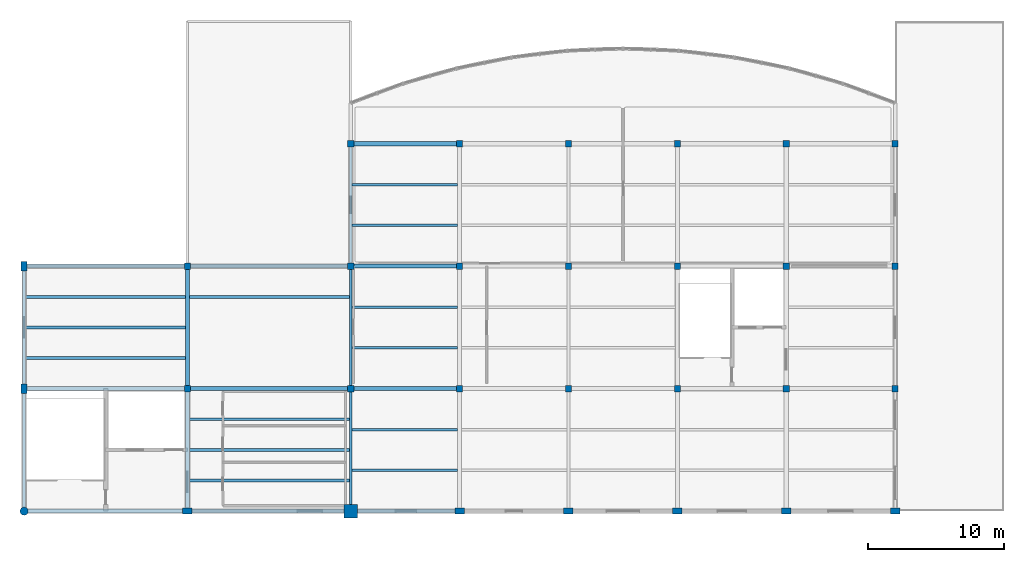
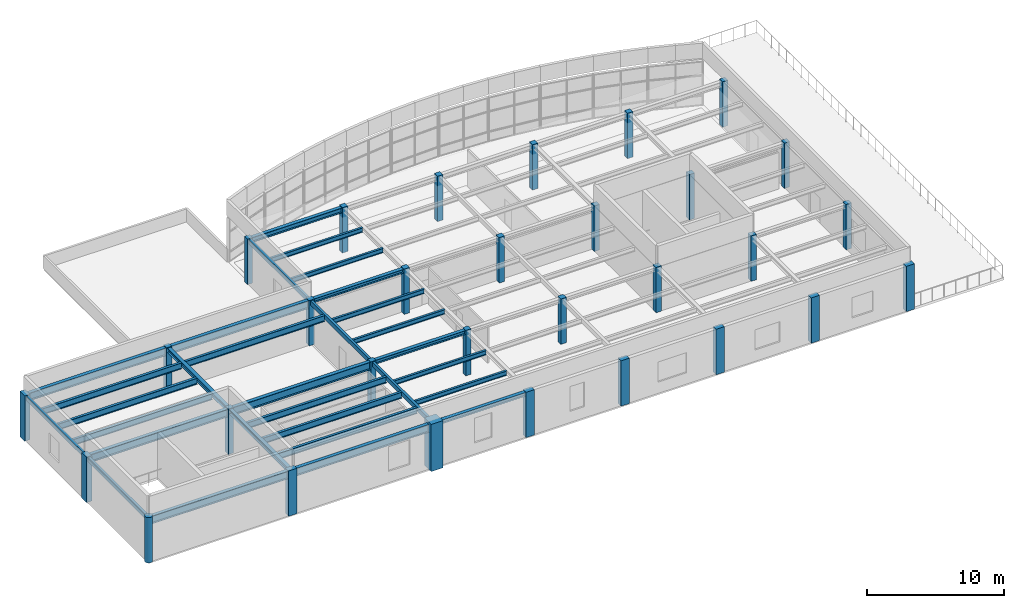
# One storey, part 1 of 9: 30 beams, 30 columns.
"""IFC4 building model written with IfcOpenShell, lengths in metres."""

import ifcopenshell
import ifcopenshell.guid

model = None  # the IFC model being written
_history = None  # IfcOwnerHistory: only IFC2X3 demands one
_inside = {}  # id of a spatial element -> (the spatial element, [elements in it])
_under = {}  # id of a project, library or spatial element -> (it, [spatial elements below it])
_declared = {}  # id of a project -> (the project, [libraries it declares])
_typed = {}  # id of a type object -> (the type object, [elements of that type])
_made_of = {}  # id of a material, layer set ... -> (it, [elements and type objects made of it])


def new_model(schema):
    """Start an empty IFC model of exactly this schema.

    Asked for "IFC4X3", IfcOpenShell would pick the latest addendum, in which some entities
    have other attributes; the version numbers below select the first issue.
    IFC2X3 requires an IfcOwnerHistory on every rooted entity: one is made here for all.
    """
    global model, _history
    if schema == "IFC4X3":
        model = ifcopenshell.file(schema_version=(4, 3, 0, 0))
    else:
        model = ifcopenshell.file(schema=schema)
    _inside.clear()
    _under.clear()
    _declared.clear()
    _typed.clear()
    _made_of.clear()
    _history = None
    if model.schema == "IFC2X3":
        org = make("IfcOrganization", Name="unknown")
        user = make(
            "IfcPersonAndOrganization",
            ThePerson=make("IfcPerson", FamilyName="unknown"),
            TheOrganization=org,
        )
        app = make(
            "IfcApplication",
            ApplicationDeveloper=org,
            Version="unknown",
            ApplicationFullName="unknown",
            ApplicationIdentifier="unknown",
        )
        _history = make(
            "IfcOwnerHistory",
            OwningUser=user,
            OwningApplication=app,
            ChangeAction="ADDED",
            CreationDate=0,
        )
    return model


def make(cls, **values):
    """One entity of the class cls with the attributes given. An attribute that is None is left unset."""
    return model.create_entity(
        cls, **{name: value for name, value in values.items() if value is not None}
    )


def rooted(cls, **values):
    """An entity with a GlobalId (a new one), such as an element, a storey or a relation."""
    return make(cls, GlobalId=ifcopenshell.guid.new(), OwnerHistory=_history, **values)


def si_unit(unit_type, name, prefix=None):
    """IfcSIUnit, for example si_unit("LENGTHUNIT", "METRE", prefix="MILLI")."""
    return make("IfcSIUnit", UnitType=unit_type, Prefix=prefix, Name=name)


def assignment(units):
    """IfcUnitAssignment: the units of a project."""
    return None if units is None else make("IfcUnitAssignment", Units=units)


def point(xyz):
    """IfcCartesianPoint."""
    return None if xyz is None else make("IfcCartesianPoint", Coordinates=xyz)


def direction(xyz):
    """IfcDirection."""
    return None if xyz is None else make("IfcDirection", DirectionRatios=xyz)


def frame(location, z_axis=None, x_axis=None):
    """IfcAxis2Placement3D, a coordinate frame: its origin and axes. An axis left out is left unset."""
    return make(
        "IfcAxis2Placement3D",
        Location=point(location),
        Axis=direction(z_axis),
        RefDirection=direction(x_axis),
    )


def frame_2d(location, x_axis=None):
    """IfcAxis2Placement2D, a coordinate frame in the plane: its origin and x axis."""
    return make(
        "IfcAxis2Placement2D", Location=point(location), RefDirection=direction(x_axis)
    )


def origin():
    """The frame at (0, 0, 0) with its axes left unset."""
    return frame((0.0, 0.0, 0.0))


def origin_2d():
    """The frame at (0, 0) in the plane with its x axis left unset."""
    return frame_2d((0.0, 0.0))


def place(relative_to, where):
    """IfcLocalPlacement: puts the frame where relative to a parent placement (None: the world)."""
    return make(
        "IfcLocalPlacement", PlacementRelTo=relative_to, RelativePlacement=where
    )


def context(
    kind, dimensions, precision=None, world=None, true_north=None, identifier=None
):
    """IfcGeometricRepresentationContext, for example the 3D "Model" context."""
    return make(
        "IfcGeometricRepresentationContext",
        ContextIdentifier=identifier,
        ContextType=kind,
        CoordinateSpaceDimension=dimensions,
        Precision=precision,
        WorldCoordinateSystem=world,
        TrueNorth=true_north,
    )


def subcontext(parent, identifier, kind, view, scale=None):
    """IfcGeometricRepresentationSubContext, for example "Body" below "Model"."""
    return make(
        "IfcGeometricRepresentationSubContext",
        ContextIdentifier=identifier,
        ContextType=kind,
        ParentContext=parent,
        TargetScale=scale,
        TargetView=view,
    )


def project(units=None, contexts=None):
    """IfcProject with its units and contexts."""
    return rooted(
        "IfcProject",
        Name="project",
        RepresentationContexts=contexts,
        UnitsInContext=assignment(units),
    )


def spatial(cls, under=None, at=None, **own):
    """A site, building, storey or space (cls), placed at a placement, below another one or the project."""
    s = rooted(cls, ObjectPlacement=at, **own)
    if under is not None:
        _under.setdefault(under.id(), (under, []))[1].append(s)
    return s


def profile(cls, at=None, kind="AREA", **sizes):
    """A parametric profile (cls). Its sizes go by their IFC names, for example OverallWidth=200.0."""
    return make(cls, ProfileType=kind, Position=at, **sizes)


def rectangle(**sizes):
    """IfcRectangleProfileDef."""
    return profile("IfcRectangleProfileDef", **sizes)


def hollow_rectangle(**sizes):
    """IfcRectangleHollowProfileDef."""
    return profile("IfcRectangleHollowProfileDef", **sizes)


def circle(**sizes):
    """IfcCircleProfileDef."""
    return profile("IfcCircleProfileDef", **sizes)


def i_section(**sizes):
    """IfcIShapeProfileDef."""
    return profile("IfcIShapeProfileDef", **sizes)


def extrude(swept, where, along, depth):
    """IfcExtrudedAreaSolid: the profile swept, set in the frame where, extruded along a direction by depth."""
    return make(
        "IfcExtrudedAreaSolid",
        SweptArea=swept,
        Position=where,
        ExtrudedDirection=direction(along),
        Depth=depth,
    )


def shape(context_of_items, identifier, shape_type, items):
    """IfcShapeRepresentation: the items that make up one representation, for example the "Body"."""
    return make(
        "IfcShapeRepresentation",
        ContextOfItems=context_of_items,
        RepresentationIdentifier=identifier,
        RepresentationType=shape_type,
        Items=items,
    )


def material(Name=None, Category=None):
    """IfcMaterial."""
    return make("IfcMaterial", Name=Name, Category=Category)


def material_profile(
    of_material, cross_section, Name=None, Category=None, Priority=None
):
    """IfcMaterialProfile: a cross section and its material."""
    return make(
        "IfcMaterialProfile",
        Name=Name,
        Material=of_material,
        Profile=cross_section,
        Priority=Priority,
        Category=Category,
    )


def profile_set(profiles, Name=None, composite=None):
    """IfcMaterialProfileSet."""
    return make(
        "IfcMaterialProfileSet",
        Name=Name,
        MaterialProfiles=profiles,
        CompositeProfile=composite,
    )


def made_of(thing, what):
    """Note that an element or type object is made of a material, layer set ...; save() writes the relation."""
    if what is not None:
        _made_of.setdefault(what.id(), (what, []))[1].append(thing)
    return thing


def type_object(cls, material=None, **own):
    """A type object (cls), such as IfcWallType, which elements share."""
    return made_of(rooted(cls, **own), material)


def element(
    cls,
    number,
    at=None,
    inside=None,
    cuts=None,
    type_object=None,
    material=None,
    context=None,
    identifier="Body",
    shape_type=None,
    held_by="IfcProductDefinitionShape",
    body=None,
    shapes=None,
    **own,
):
    """One element of the class cls, such as IfcWall. Its Tag is "e" and its number.

    at: its placement. inside: the storey or other place that contains it. cuts: it is an
    opening in that element (IfcRelVoidsElement). A single representation is given by context,
    identifier, shape_type and body (its items); several are given by shapes. held_by: the class
    of the entity that holds the representations. save() writes the other relations.
    """
    e = rooted(cls, Tag="e%d" % number, ObjectPlacement=at, **own)
    if body is not None:
        shapes = [shape(context, identifier, shape_type, body)]
    if shapes is not None:
        e.Representation = make(held_by, Representations=shapes)
    if inside is not None:
        _inside.setdefault(inside.id(), (inside, []))[1].append(e)
    if cuts is not None:
        rooted(
            "IfcRelVoidsElement", RelatingBuildingElement=cuts, RelatedOpeningElement=e
        )
    if type_object is not None:
        _typed.setdefault(type_object.id(), (type_object, []))[1].append(e)
    return made_of(e, material)


def aggregate(whole, parts):
    """IfcRelAggregates: a whole, such as a stair, and the parts it consists of."""
    return rooted("IfcRelAggregates", RelatingObject=whole, RelatedObjects=parts)


def save(model, path):
    """Write the relations noted so far, then the file.

    IfcRelAggregates (storeys below a building ...), IfcRelContainedInSpatialStructure (elements
    in a storey), IfcRelDefinesByType, IfcRelAssociatesMaterial and IfcRelDeclares: one each for
    every whole, place, type object, material and project.
    """
    for whole, parts in _under.values():
        aggregate(whole, parts)
    for where, things in _inside.values():
        rooted(
            "IfcRelContainedInSpatialStructure",
            RelatedElements=things,
            RelatingStructure=where,
        )
    for kind, things in _typed.values():
        rooted("IfcRelDefinesByType", RelatedObjects=things, RelatingType=kind)
    for what, things in _made_of.values():
        rooted("IfcRelAssociatesMaterial", RelatedObjects=things, RelatingMaterial=what)
    for by, libraries in _declared.values():
        rooted("IfcRelDeclares", RelatingContext=by, RelatedDefinitions=libraries)
    model.write(path)


model = new_model("IFC4")

# Units and contexts
model_context = context("Model", 3, precision=1e-05, world=origin(), true_north=direction((0.0, 1.0)))
body_context = subcontext(model_context, "Body", "Model", "MODEL_VIEW")
ifc_project = project(units=[si_unit("LENGTHUNIT", "METRE"), si_unit("AREAUNIT", "SQUARE_METRE"), si_unit("VOLUMEUNIT", "CUBIC_METRE"), si_unit("PLANEANGLEUNIT", "RADIAN"), si_unit("MASSUNIT", "GRAM", prefix="KILO")], contexts=[model_context])

# Site, building, storey
site_placement = place(None, origin())
site = spatial("IfcSite", under=ifc_project, at=site_placement, CompositionType="ELEMENT")
building_placement = place(site_placement, origin())
building = spatial("IfcBuilding", under=site, at=building_placement, Name="Keelwater Ferry Terminal", CompositionType="ELEMENT")
storey_placement = place(building_placement, frame((0.0, 0.0, 23.699951171875)))
storey = spatial("IfcBuildingStorey", under=building, at=storey_placement, Name="L05", CompositionType="ELEMENT", Elevation=23.699951171875)

# Columns
ifc_material_1 = material(Name="Concrete C45/55", Category="concrete")
ifc_material_profile_1 = material_profile(ifc_material_1, rectangle(XDim=0.449951171875, YDim=0.449951171875, at=origin_2d()), Name="RC 450x450")
ifc_profile_set_1 = profile_set([ifc_material_profile_1], Name="Concrete C45/55")
column_type_1 = type_object("IfcColumnType", Name="C5 RC 450x450", PredefinedType="COLUMN", material=ifc_profile_set_1)
for number, where, z_axis, x_axis, name in (
    (1, (120.0, 99.0, 0.0), (0.0, 0.0, 1.0), (1.0, 0.0, 0.0), "Column CL-L05-0214"),
    (2, (120.0, 108.0, 0.0), (0.0, 0.0, 1.0), (1.0, 0.0, 0.0), "Column CL-L05-0220"),
    (3, (132.0, 99.0, 0.0), (0.0, 0.0, 1.0), (1.0, 0.0, 0.0), "Column CL-L05-0265"),
    (4, (132.0, 108.0, 0.0), (0.0, 0.0, 1.0), (1.0, 0.0, 0.0), "Column CL-L05-0271"),
    (5, (132.0, 117.0, 0.0), (0.0, 0.0, 1.0), (1.0, 0.0, 0.0), "Column CL-L05-0277"),
    (6, (140.0, 99.0, 0.0), (0.0, 0.0, 1.0), (1.0, 0.0, 0.0), "Column CL-L05-0317"),
    (7, (140.0, 108.0, 0.0), (0.0, 0.0, 1.0), (1.0, 0.0, 0.0), "Column CL-L05-0323"),
    (8, (140.0, 117.0, 0.0), (0.0, 0.0, 1.0), (1.0, 0.0, 0.0), "Column CL-L05-0329"),
    (9, (148.0, 99.0, 0.0), (0.0, 0.0, 1.0), (1.0, 0.0, 0.0), "Column CL-L05-0364"),
    (10, (148.0, 108.0, 0.0), (0.0, 0.0, 1.0), (1.0, 0.0, 0.0), "Column CL-L05-0370"),
    (11, (148.0, 117.0, 0.0), (0.0, 0.0, 1.0), (1.0, 0.0, 0.0), "Column CL-L05-0376"),
    (12, (156.0, 99.0, 0.0), (0.0, 0.0, 1.0), (1.0, 0.0, 0.0), "Column CL-L05-0403"),
    (13, (156.0, 108.0, 0.0), (0.0, 0.0, 1.0), (1.0, 0.0, 0.0), "Column CL-L05-0409"),
    (14, (156.0, 117.0, 0.0), (0.0, 0.0, 1.0), (1.0, 0.0, 0.0), "Column CL-L05-0415"),
    (15, (164.0, 99.0, 0.0), (0.0, 0.0, 1.0), (1.0, 0.0, 0.0), "Column CL-L05-0442"),
    (16, (164.0, 108.0, 0.0), (0.0, 0.0, 1.0), (1.0, 0.0, 0.0), "Column CL-L05-0448"),
    (17, (164.0, 117.0, 0.0), (0.0, 0.0, 1.0), (1.0, 0.0, 0.0), "Column CL-L05-0454"),
    (18, (172.0, 99.0, 0.0), (0.0, 0.0, 1.0), (1.0, 0.0, 0.0), "Column CL-L05-0475"),
    (19, (172.0, 108.0, 0.0), (0.0, 0.0, 1.0), (1.0, 0.0, 0.0), "Column CL-L05-0481"),
    (20, (172.0, 117.0, 0.0), (0.0, 0.0, 1.0), (1.0, 0.0, 0.0), "Column CL-L05-0487"),
):
    element("IfcColumn", number, at=place(storey_placement, frame(where, z_axis=z_axis, x_axis=x_axis)), inside=storey, type_object=column_type_1, Name=name, PredefinedType="COLUMN", context=body_context, shape_type="SweptSolid", body=[
        extrude(rectangle(XDim=0.449951171875, YDim=0.449951171875, at=origin_2d()), origin(), (0.0, 0.0, 1.0), 4.0400390625),
    ])
ifc_material_2 = material(Name="Concrete C45/55", Category="concrete")
ifc_material_profile_2 = material_profile(ifc_material_2, circle(Radius=0.300048828125, at=origin_2d()), Name="RC D600")
ifc_profile_set_2 = profile_set([ifc_material_profile_2], Name="Concrete C45/55")
column_type_2 = type_object("IfcColumnType", Name="C7E RC D600", PredefinedType="COLUMN", material=ifc_profile_set_2)
column_1_placement = place(storey_placement, frame((108.0, 90.0, 0.0), z_axis=(0.0, 0.0, 1.0), x_axis=(1.0, 0.0, 0.0)))
element("IfcColumn", 21, at=column_1_placement, inside=storey, type_object=column_type_2, Name="Column CL-L05-0176", PredefinedType="COLUMN", context=body_context, shape_type="SweptSolid", body=[
    extrude(circle(Radius=0.300048828125, at=origin_2d()), origin(), (0.0, 0.0, 1.0), 4.0400390625),
])
ifc_material_3 = material(Name="Concrete C50/60", Category="concrete")
ifc_material_profile_3 = material_profile(ifc_material_3, rectangle(XDim=1.0, YDim=1.0, at=origin_2d()), Name="RC 1000x1000")
ifc_profile_set_3 = profile_set([ifc_material_profile_3], Name="Concrete C50/60")
column_type_3 = type_object("IfcColumnType", Name="MC1E RC 1000x1000", PredefinedType="COLUMN", material=ifc_profile_set_3)
column_2_placement = place(storey_placement, frame((132.0, 90.0, 0.0), z_axis=(0.0, 0.0, 1.0), x_axis=(1.0, 0.0, 0.0)))
element("IfcColumn", 22, at=column_2_placement, inside=storey, type_object=column_type_3, Name="Column CL-L05-0259", PredefinedType="COLUMN", context=body_context, shape_type="SweptSolid", body=[
    extrude(rectangle(XDim=1.0, YDim=1.0, at=origin_2d()), origin(), (0.0, 0.0, 1.0), 4.199951171875),
])
ifc_material_4 = material(Name="Concrete C45/55", Category="concrete")
ifc_material_profile_4 = material_profile(ifc_material_4, rectangle(XDim=0.449951171875, YDim=0.699951171875, at=origin_2d()), Name="RC 700x450")
ifc_profile_set_4 = profile_set([ifc_material_profile_4], Name="Concrete C45/55")
column_type_4 = type_object("IfcColumnType", Name="PL3E RC 700x450", PredefinedType="PILASTER", material=ifc_profile_set_4)
for number, where, z_axis, x_axis, name in (
    (23, (108.0, 99.0, 0.0), (0.0, 0.0, 1.0), (1.0, 0.0, 0.0), "Column CL-L05-0182"),
    (24, (108.0, 108.0, 0.0), (0.0, 0.0, 1.0), (1.0, 0.0, 0.0), "Column CL-L05-0188"),
    (25, (120.0, 90.0, 0.0), (0.0, 0.0, 1.0), (0.0, 1.0, 0.0), "Column CL-L05-0208"),
    (26, (140.0, 90.0, 0.0), (0.0, 0.0, 1.0), (0.0, 1.0, 0.0), "Column CL-L05-0311"),
    (27, (148.0, 90.0, 0.0), (0.0, 0.0, 1.0), (0.0, 1.0, 0.0), "Column CL-L05-0358"),
    (28, (156.0, 90.0, 0.0), (0.0, 0.0, 1.0), (0.0, 1.0, 0.0), "Column CL-L05-0397"),
    (29, (164.0, 90.0, 0.0), (0.0, 0.0, 1.0), (0.0, 1.0, 0.0), "Column CL-L05-0436"),
    (30, (172.0, 90.0, 0.0), (0.0, 0.0, 1.0), (0.0, 1.0, 0.0), "Column CL-L05-0469"),
):
    element("IfcColumn", number, at=place(storey_placement, frame(where, z_axis=z_axis, x_axis=x_axis)), inside=storey, type_object=column_type_4, Name=name, PredefinedType="PILASTER", context=body_context, shape_type="SweptSolid", body=[
        extrude(rectangle(XDim=0.449951171875, YDim=0.699951171875, at=origin_2d()), origin(), (0.0, 0.0, 1.0), 4.0400390625),
    ])

# Beams
ifc_material_5 = material(Name="Steel S355", Category="steel")
ifc_material_profile_5 = material_profile(ifc_material_5, i_section(OverallWidth=0.300048828125, OverallDepth=0.699951171875, WebThickness=0.01708984375, FlangeThickness=0.031982421875, at=origin_2d()), Name="HEB 700")
ifc_profile_set_5 = profile_set([ifc_material_profile_5], Name="Steel S355")
beam_type_1 = type_object("IfcBeamType", Name="G2E HEB 700", PredefinedType="BEAM", material=ifc_profile_set_5)
beam_1_placement = place(storey_placement, frame((108.24609375, 90.0, 3.630126953125), z_axis=(1.0, 0.0, 0.0), x_axis=(0.0, 1.0, 0.0)))
element("IfcBeam", 31, at=beam_1_placement, inside=storey, type_object=beam_type_1, Name="Beam BM-L05-1566", PredefinedType="BEAM", context=body_context, shape_type="SweptSolid", body=[
    extrude(i_section(OverallWidth=0.300048828125, OverallDepth=0.699951171875, WebThickness=0.01708984375, FlangeThickness=0.031982421875, at=origin_2d()), origin(), (0.0, 0.0, 1.0), 11.410888671875),
])
beam_2_placement = place(storey_placement, frame((120.343017578125, 90.0, 3.630126953125), z_axis=(1.0, 0.0, 0.0), x_axis=(0.0, 1.0, 0.0)))
element("IfcBeam", 32, at=beam_2_placement, inside=storey, type_object=beam_type_1, Name="Beam BM-L05-1567", PredefinedType="BEAM", context=body_context, shape_type="SweptSolid", body=[
    extrude(i_section(OverallWidth=0.300048828125, OverallDepth=0.699951171875, WebThickness=0.01708984375, FlangeThickness=0.031982421875, at=origin_2d()), origin(), (0.0, 0.0, 1.0), 11.1669921875),
])
for number, where, z_axis, x_axis, name in (
    (33, (108.219970703125, 99.0, 3.630126953125), (1.0, 0.0, 0.0), (0.0, 1.0, 0.0), "Beam BM-L05-1573"),
    (34, (120.219970703125, 99.0, 3.630126953125), (1.0, 0.0, 0.0), (0.0, 1.0, 0.0), "Beam BM-L05-1574"),
    (35, (108.219970703125, 108.0, 3.630126953125), (1.0, 0.0, 0.0), (0.0, 1.0, 0.0), "Beam BM-L05-1580"),
    (36, (120.219970703125, 108.0, 3.630126953125), (1.0, 0.0, 0.0), (0.0, 1.0, 0.0), "Beam BM-L05-1581"),
):
    element("IfcBeam", number, at=place(storey_placement, frame(where, z_axis=z_axis, x_axis=x_axis)), inside=storey, type_object=beam_type_1, Name=name, PredefinedType="BEAM", context=body_context, shape_type="SweptSolid", body=[
        extrude(i_section(OverallWidth=0.300048828125, OverallDepth=0.699951171875, WebThickness=0.01708984375, FlangeThickness=0.031982421875, at=origin_2d()), origin(), (0.0, 0.0, 1.0), 11.56005859375),
    ])
ifc_material_6 = material(Name="Steel S355", Category="steel")
ifc_material_profile_6 = material_profile(ifc_material_6, i_section(OverallWidth=0.300048828125, OverallDepth=0.449951171875, WebThickness=0.013916015625, FlangeThickness=0.02587890625, at=origin_2d()), Name="HEB 450")
ifc_profile_set_6 = profile_set([ifc_material_profile_6], Name="Steel S355")
beam_type_2 = type_object("IfcBeamType", Name="G6 HEB 450", PredefinedType="BEAM", material=ifc_profile_set_6)
beam_3_placement = place(storey_placement, frame((132.219970703125, 117.0, 3.755126953125), z_axis=(1.0, 0.0, 0.0), x_axis=(0.0, 1.0, 0.0)))
element("IfcBeam", 37, at=beam_3_placement, inside=storey, type_object=beam_type_2, Name="Beam BM-L05-1587", PredefinedType="BEAM", context=body_context, shape_type="SweptSolid", body=[
    extrude(i_section(OverallWidth=0.300048828125, OverallDepth=0.449951171875, WebThickness=0.013916015625, FlangeThickness=0.02587890625, at=origin_2d()), origin(), (0.0, 0.0, 1.0), 7.56005859375),
])
ifc_material_7 = material(Name="Steel S355", Category="steel")
ifc_material_profile_7 = material_profile(ifc_material_7, i_section(OverallWidth=0.300048828125, OverallDepth=0.39990234375, WebThickness=0.013427734375, FlangeThickness=0.02392578125, at=origin_2d()), Name="HEB 400")
ifc_profile_set_7 = profile_set([ifc_material_profile_7], Name="Steel S355")
beam_type_3 = type_object("IfcBeamType", Name="G7 HEB 400", PredefinedType="BEAM", material=ifc_profile_set_7)
for number, where, z_axis, x_axis, name in (
    (38, (120.0, 90.219970703125, 3.780029296875), (0.0, 1.0, 0.0), (-1.0, 0.0, 0.0), "Beam BM-L05-1594"),
    (39, (120.0, 99.219970703125, 3.780029296875), (0.0, 1.0, 0.0), (-1.0, 0.0, 0.0), "Beam BM-L05-1595"),
):
    element("IfcBeam", number, at=place(storey_placement, frame(where, z_axis=z_axis, x_axis=x_axis)), inside=storey, type_object=beam_type_3, Name=name, PredefinedType="BEAM", context=body_context, shape_type="SweptSolid", body=[
        extrude(i_section(OverallWidth=0.300048828125, OverallDepth=0.39990234375, WebThickness=0.013427734375, FlangeThickness=0.02392578125, at=origin_2d()), origin(), (0.0, 0.0, 1.0), 8.56005859375),
    ])
ifc_material_8 = material(Name="Steel S355", Category="steel")
ifc_material_profile_8 = material_profile(ifc_material_8, i_section(OverallWidth=0.2099609375, OverallDepth=0.550048828125, WebThickness=0.010986328125, FlangeThickness=0.01708984375, at=origin_2d()), Name="IPE 550")
ifc_profile_set_8 = profile_set([ifc_material_profile_8], Name="Steel S355")
beam_type_4 = type_object("IfcBeamType", Name="J2 IPE 550", PredefinedType="JOIST", material=ifc_profile_set_8)
for number, where, z_axis, x_axis, name in (
    (40, (108.10009765625, 101.25, 3.705078125), (1.0, 0.0, 0.0), (0.0, 1.0, 0.0), "Beam BM-L05-1614"),
    (41, (108.10009765625, 103.5, 3.705078125), (1.0, 0.0, 0.0), (0.0, 1.0, 0.0), "Beam BM-L05-1615"),
    (42, (108.10009765625, 105.75, 3.705078125), (1.0, 0.0, 0.0), (0.0, 1.0, 0.0), "Beam BM-L05-1616"),
    (43, (120.14990234375, 92.25, 3.705078125), (1.0, 0.0, 0.0), (0.0, 1.0, 0.0), "Beam BM-L05-1617"),
    (44, (120.14990234375, 94.5, 3.705078125), (1.0, 0.0, 0.0), (0.0, 1.0, 0.0), "Beam BM-L05-1618"),
    (45, (120.14990234375, 96.75, 3.705078125), (1.0, 0.0, 0.0), (0.0, 1.0, 0.0), "Beam BM-L05-1619"),
    (46, (120.14990234375, 105.75, 3.705078125), (1.0, 0.0, 0.0), (0.0, 1.0, 0.0), "Beam BM-L05-1620"),
):
    element("IfcBeam", number, at=place(storey_placement, frame(where, z_axis=z_axis, x_axis=x_axis)), inside=storey, type_object=beam_type_4, Name=name, PredefinedType="JOIST", context=body_context, shape_type="SweptSolid", body=[
        extrude(i_section(OverallWidth=0.2099609375, OverallDepth=0.550048828125, WebThickness=0.010986328125, FlangeThickness=0.01708984375, at=origin_2d()), origin(), (0.0, 0.0, 1.0), 11.75),
    ])
ifc_material_9 = material(Name="Steel S355", Category="steel")
ifc_material_profile_9 = material_profile(ifc_material_9, i_section(OverallWidth=0.179931640625, OverallDepth=0.39990234375, WebThickness=0.008544921875, FlangeThickness=0.013427734375, at=origin_2d()), Name="IPE 400")
ifc_profile_set_9 = profile_set([ifc_material_profile_9], Name="Steel S355")
beam_type_5 = type_object("IfcBeamType", Name="J5 IPE 400", PredefinedType="JOIST", material=ifc_profile_set_9)
for number, where, z_axis, x_axis, name in (
    (47, (132.10009765625, 93.0, 3.780029296875), (1.0, 0.0, 0.0), (0.0, 1.0, 0.0), "Beam BM-L05-1621"),
    (48, (132.10009765625, 96.0, 3.780029296875), (1.0, 0.0, 0.0), (0.0, 1.0, 0.0), "Beam BM-L05-1622"),
    (49, (132.10009765625, 102.0, 3.780029296875), (1.0, 0.0, 0.0), (0.0, 1.0, 0.0), "Beam BM-L05-1623"),
    (50, (132.10009765625, 105.0, 3.780029296875), (1.0, 0.0, 0.0), (0.0, 1.0, 0.0), "Beam BM-L05-1624"),
    (51, (132.10009765625, 111.0, 3.780029296875), (1.0, 0.0, 0.0), (0.0, 1.0, 0.0), "Beam BM-L05-1625"),
    (52, (132.10009765625, 114.0, 3.780029296875), (1.0, 0.0, 0.0), (0.0, 1.0, 0.0), "Beam BM-L05-1626"),
):
    element("IfcBeam", number, at=place(storey_placement, frame(where, z_axis=z_axis, x_axis=x_axis)), inside=storey, type_object=beam_type_5, Name=name, PredefinedType="JOIST", context=body_context, shape_type="SweptSolid", body=[
        extrude(i_section(OverallWidth=0.179931640625, OverallDepth=0.39990234375, WebThickness=0.008544921875, FlangeThickness=0.013427734375, at=origin_2d()), origin(), (0.0, 0.0, 1.0), 7.75),
    ])
ifc_material_10 = material(Name="Steel S355", Category="steel")
ifc_material_profile_10 = material_profile(ifc_material_10, i_section(OverallWidth=0.300048828125, OverallDepth=0.35009765625, WebThickness=0.010009765625, FlangeThickness=0.017578125, at=origin_2d()), Name="HEA 360")
ifc_profile_set_10 = profile_set([ifc_material_profile_10], Name="Steel S355")
beam_type_6 = type_object("IfcBeamType", Name="SP1E HEA 360", PredefinedType="SPANDREL", material=ifc_profile_set_10)
beam_4_placement = place(storey_placement, frame((132.489990234375, 90.0, 3.804931640625), z_axis=(1.0, 0.0, 0.0), x_axis=(0.0, 1.0, 0.0)))
element("IfcBeam", 53, at=beam_4_placement, inside=storey, type_object=beam_type_6, Name="Beam BM-L05-1568", PredefinedType="SPANDREL", context=body_context, shape_type="SweptSolid", body=[
    extrude(i_section(OverallWidth=0.300048828125, OverallDepth=0.35009765625, WebThickness=0.010009765625, FlangeThickness=0.017578125, at=origin_2d()), origin(), (0.0, 0.0, 1.0), 7.1669921875),
])
for number, where, z_axis, x_axis, name in (
    (54, (132.219970703125, 99.0, 3.804931640625), (1.0, 0.0, 0.0), (0.0, 1.0, 0.0), "Beam BM-L05-1575"),
    (55, (132.219970703125, 108.0, 3.804931640625), (1.0, 0.0, 0.0), (0.0, 1.0, 0.0), "Beam BM-L05-1582"),
):
    element("IfcBeam", number, at=place(storey_placement, frame(where, z_axis=z_axis, x_axis=x_axis)), inside=storey, type_object=beam_type_6, Name=name, PredefinedType="SPANDREL", context=body_context, shape_type="SweptSolid", body=[
        extrude(i_section(OverallWidth=0.300048828125, OverallDepth=0.35009765625, WebThickness=0.010009765625, FlangeThickness=0.017578125, at=origin_2d()), origin(), (0.0, 0.0, 1.0), 7.56005859375),
    ])
ifc_material_11 = material(Name="Steel S355", Category="steel")
ifc_material_profile_11 = material_profile(ifc_material_11, hollow_rectangle(XDim=0.199951171875, YDim=0.39990234375, WallThickness=0.01611328125, at=origin_2d()), Name="RHS 400x200x16")
ifc_profile_set_11 = profile_set([ifc_material_profile_11], Name="Steel S355")
beam_type_7 = type_object("IfcBeamType", Name="SP3E RHS 400x200x16", PredefinedType="SPANDREL", material=ifc_profile_set_11)
beam_5_placement = place(storey_placement, frame((108.0, 90.24609375, 3.780029296875), z_axis=(0.0, 1.0, 0.0), x_axis=(-1.0, 0.0, 0.0)))
element("IfcBeam", 56, at=beam_5_placement, inside=storey, type_object=beam_type_7, Name="Beam BM-L05-1592", PredefinedType="SPANDREL", context=body_context, shape_type="SweptSolid", body=[
    extrude(hollow_rectangle(XDim=0.199951171875, YDim=0.39990234375, WallThickness=0.01611328125, at=origin_2d()), origin(), (0.0, 0.0, 1.0), 8.410888671875),
])
beam_6_placement = place(storey_placement, frame((108.0, 99.343017578125, 3.780029296875), z_axis=(0.0, 1.0, 0.0), x_axis=(-1.0, 0.0, 0.0)))
element("IfcBeam", 57, at=beam_6_placement, inside=storey, type_object=beam_type_7, Name="Beam BM-L05-1593", PredefinedType="SPANDREL", context=body_context, shape_type="SweptSolid", body=[
    extrude(hollow_rectangle(XDim=0.199951171875, YDim=0.39990234375, WallThickness=0.01611328125, at=origin_2d()), origin(), (0.0, 0.0, 1.0), 8.31396484375),
])
beam_7_placement = place(storey_placement, frame((132.0, 90.489990234375, 3.780029296875), z_axis=(0.0, 1.0, 0.0), x_axis=(-1.0, 0.0, 0.0)))
element("IfcBeam", 58, at=beam_7_placement, inside=storey, type_object=beam_type_7, Name="Beam BM-L05-1596", PredefinedType="SPANDREL", context=body_context, shape_type="SweptSolid", body=[
    extrude(hollow_rectangle(XDim=0.199951171875, YDim=0.39990234375, WallThickness=0.01611328125, at=origin_2d()), origin(), (0.0, 0.0, 1.0), 8.2900390625),
])
for number, where, z_axis, x_axis, name in (
    (59, (132.0, 99.219970703125, 3.780029296875), (0.0, 1.0, 0.0), (-1.0, 0.0, 0.0), "Beam BM-L05-1597"),
    (60, (132.0, 108.219970703125, 3.780029296875), (0.0, 1.0, 0.0), (-1.0, 0.0, 0.0), "Beam BM-L05-1598"),
):
    element("IfcBeam", number, at=place(storey_placement, frame(where, z_axis=z_axis, x_axis=x_axis)), inside=storey, type_object=beam_type_7, Name=name, PredefinedType="SPANDREL", context=body_context, shape_type="SweptSolid", body=[
        extrude(hollow_rectangle(XDim=0.199951171875, YDim=0.39990234375, WallThickness=0.01611328125, at=origin_2d()), origin(), (0.0, 0.0, 1.0), 8.56005859375),
    ])

save(model, "model.ifc")
